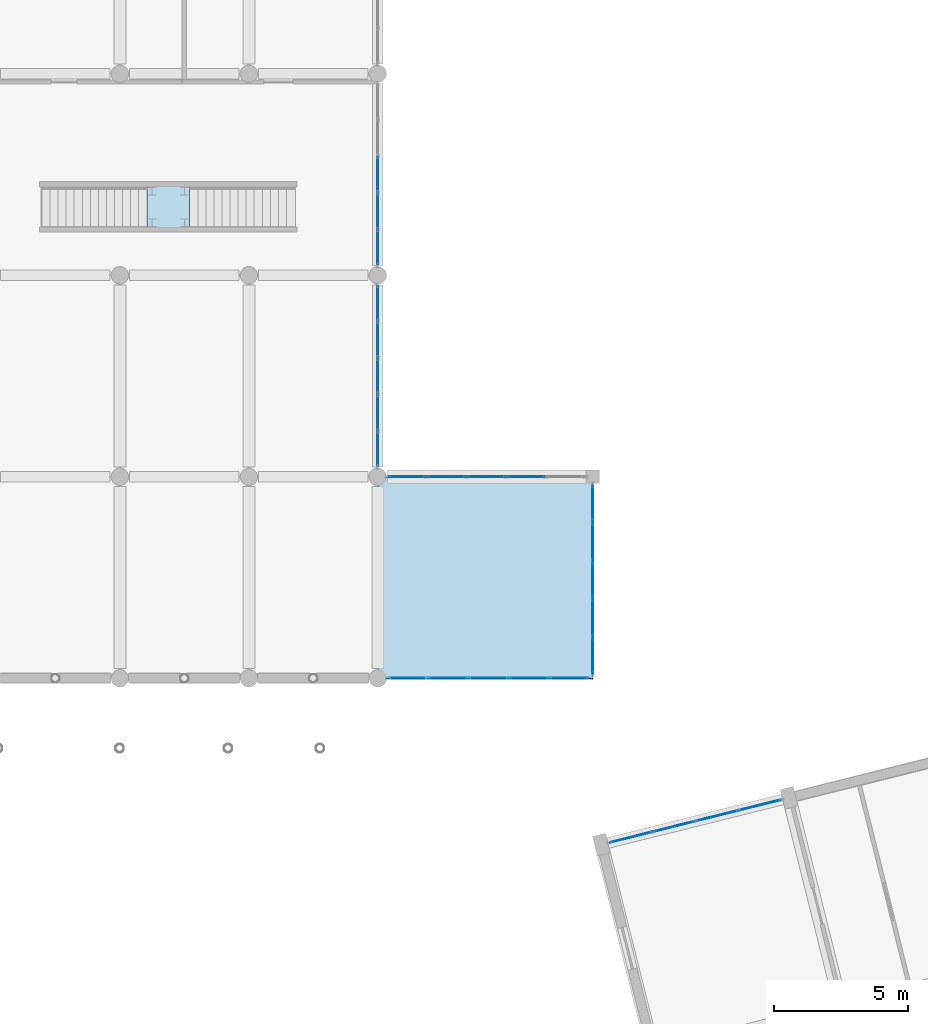
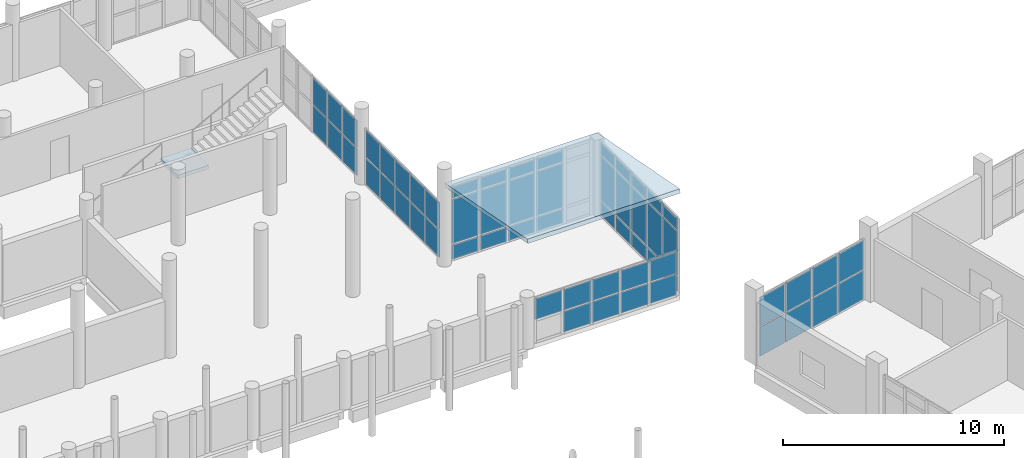
# One storey, part 127 of 164: 60 plates, 2 slabs, 7 elements without a shape of their own.
"""IFC4 building model written with IfcOpenShell, lengths in metres."""

from ifc_helpers import new_model, si_unit, direction, frame, origin, origin_2d, place, context, subcontext, project, spatial, polyline, rectangle, outline, extrude, material, layer, layer_set, type_object, element, aggregate, save


model = new_model("IFC4")

# Units and contexts
model_context = context("Model", 3, precision=1e-05, world=origin(), true_north=direction((0.0, 1.0)))
body_context = subcontext(model_context, "Body", "Model", "MODEL_VIEW")
ifc_project = project(units=[si_unit("LENGTHUNIT", "METRE"), si_unit("AREAUNIT", "SQUARE_METRE"), si_unit("VOLUMEUNIT", "CUBIC_METRE"), si_unit("PLANEANGLEUNIT", "RADIAN"), si_unit("MASSUNIT", "GRAM", prefix="KILO")], contexts=[model_context])

# Site, building, storey
site_placement = place(None, origin())
site = spatial("IfcSite", under=ifc_project, at=site_placement, CompositionType="ELEMENT")
building_placement = place(site_placement, origin())
building = spatial("IfcBuilding", under=site, at=building_placement, Name="Mawjan Specialist Oncology Clinic", CompositionType="ELEMENT")
storey_placement = place(building_placement, frame((0.0, 0.0, 5.0)))
storey = spatial("IfcBuildingStorey", under=building, at=storey_placement, Name="L01", CompositionType="ELEMENT", Elevation=5.0)

# Curtain wall, plates
ifc_material_1 = material(Name="Unitised spectrally selective aluminium curtain wall", Category="aluminium")
ifc_layer_1 = layer(ifc_material_1, 0.179931640625, Name="Unitised spectrally selective aluminium curtain wall", Category="aluminium")
ifc_layer_set_1 = layer_set([ifc_layer_1], Name="Unitised spectrally selective aluminium curtain wall")
curtain_wall_type_1 = type_object("IfcCurtainWallType", Name="CW-48", PredefinedType="NOTDEFINED", material=ifc_layer_set_1)
curtain_wall_1_placement = place(storey_placement, origin())
curtain_wall_1 = element("IfcCurtainWall", 1, at=curtain_wall_1_placement, inside=storey, type_object=curtain_wall_type_1, Name="L01 Unitised Curtain Wall CW-L01-092", PredefinedType="NOTDEFINED")
ifc_material_2 = material(Name="Spectrally selective double low-E glazing", Category="glass")
ifc_layer_2 = layer(ifc_material_2, 0.031982421875, Name="Spectrally selective double low-E glazing", Category="glass")
ifc_layer_set_2 = layer_set([ifc_layer_2], Name="Spectrally selective double low-E glazing")
plate_type = type_object("IfcPlateType", Name="CW-P32", PredefinedType="CURTAIN_PANEL", material=ifc_layer_set_2)
plate_1_placement = place(storey_placement, frame((117.40869140625, 39.882568359375, 0.06494140625), z_axis=(0.0, 0.0, 1.0), x_axis=(0.970295680134, 0.241922080664, 0.0)))
plate_1 = element("IfcPlate", 2, at=plate_1_placement, type_object=plate_type, Name="CW-48 panel 1.1", PredefinedType="CURTAIN_PANEL", context=body_context, shape_type="SweptSolid", body=[
    extrude(rectangle(XDim=1.5673828125, YDim=0.031982421875, at=origin_2d()), origin(), (0.0, 0.0, 1.0), 1.594970703125),
])
plate_2_placement = place(storey_placement, frame((117.40869140625, 39.882568359375, 1.72509765625), z_axis=(0.0, 0.0, 1.0), x_axis=(0.970295680134, 0.241922080664, 0.0)))
plate_2 = element("IfcPlate", 3, at=plate_2_placement, type_object=plate_type, Name="CW-48 panel 1.2", PredefinedType="CURTAIN_PANEL", context=body_context, shape_type="SweptSolid", body=[
    extrude(rectangle(XDim=1.5673828125, YDim=0.031982421875, at=origin_2d()), origin(), (0.0, 0.0, 1.0), 1.594970703125),
])
plate_3_placement = place(storey_placement, frame((119.00830078125, 40.28125, 0.06494140625), z_axis=(0.0, 0.0, 1.0), x_axis=(0.970295680134, 0.241922080664, 0.0)))
plate_3 = element("IfcPlate", 4, at=plate_3_placement, type_object=plate_type, Name="CW-48 panel 2.1", PredefinedType="CURTAIN_PANEL", context=body_context, shape_type="SweptSolid", body=[
    extrude(rectangle(XDim=1.60009765625, YDim=0.031982421875, at=origin_2d()), origin(), (0.0, 0.0, 1.0), 1.594970703125),
])
plate_4_placement = place(storey_placement, frame((119.00830078125, 40.28125, 1.72509765625), z_axis=(0.0, 0.0, 1.0), x_axis=(0.970295680134, 0.241922080664, 0.0)))
plate_4 = element("IfcPlate", 5, at=plate_4_placement, type_object=plate_type, Name="CW-48 panel 2.2", PredefinedType="CURTAIN_PANEL", context=body_context, shape_type="SweptSolid", body=[
    extrude(rectangle(XDim=1.60009765625, YDim=0.031982421875, at=origin_2d()), origin(), (0.0, 0.0, 1.0), 1.594970703125),
])
plate_5_placement = place(storey_placement, frame((120.6240234375, 40.68408203125, 0.06494140625), z_axis=(0.0, 0.0, 1.0), x_axis=(0.970295680134, 0.241922080664, 0.0)))
plate_5 = element("IfcPlate", 6, at=plate_5_placement, type_object=plate_type, Name="CW-48 panel 3.1", PredefinedType="CURTAIN_PANEL", context=body_context, shape_type="SweptSolid", body=[
    extrude(rectangle(XDim=1.60009765625, YDim=0.031982421875, at=origin_2d()), origin(), (0.0, 0.0, 1.0), 1.594970703125),
])
plate_6_placement = place(storey_placement, frame((120.6240234375, 40.68408203125, 1.72509765625), z_axis=(0.0, 0.0, 1.0), x_axis=(0.970295680134, 0.241922080664, 0.0)))
plate_6 = element("IfcPlate", 7, at=plate_6_placement, type_object=plate_type, Name="CW-48 panel 3.2", PredefinedType="CURTAIN_PANEL", context=body_context, shape_type="SweptSolid", body=[
    extrude(rectangle(XDim=1.60009765625, YDim=0.031982421875, at=origin_2d()), origin(), (0.0, 0.0, 1.0), 1.594970703125),
])
plate_7_placement = place(storey_placement, frame((122.2236328125, 41.0830078125, 0.06494140625), z_axis=(0.0, 0.0, 1.0), x_axis=(0.970295680134, 0.241922080664, 0.0)))
plate_7 = element("IfcPlate", 8, at=plate_7_placement, type_object=plate_type, Name="CW-48 panel 4.1", PredefinedType="CURTAIN_PANEL", context=body_context, shape_type="SweptSolid", body=[
    extrude(rectangle(XDim=1.5673828125, YDim=0.031982421875, at=origin_2d()), origin(), (0.0, 0.0, 1.0), 1.594970703125),
])
plate_8_placement = place(storey_placement, frame((122.2236328125, 41.0830078125, 1.72509765625), z_axis=(0.0, 0.0, 1.0), x_axis=(0.970295680134, 0.241922080664, 0.0)))
plate_8 = element("IfcPlate", 9, at=plate_8_placement, type_object=plate_type, Name="CW-48 panel 4.2", PredefinedType="CURTAIN_PANEL", context=body_context, shape_type="SweptSolid", body=[
    extrude(rectangle(XDim=1.5673828125, YDim=0.031982421875, at=origin_2d()), origin(), (0.0, 0.0, 1.0), 1.594970703125),
])
aggregate(curtain_wall_1, [plate_1, plate_2, plate_3, plate_4, plate_5, plate_6, plate_7, plate_8])

ifc_material_3 = material(Name="Unitised spectrally selective aluminium curtain wall", Category="aluminium")
ifc_layer_3 = layer(ifc_material_3, 0.179931640625, Name="Unitised spectrally selective aluminium curtain wall", Category="aluminium")
ifc_layer_set_3 = layer_set([ifc_layer_3], Name="Unitised spectrally selective aluminium curtain wall")
curtain_wall_type_2 = type_object("IfcCurtainWallType", Name="CW-55", PredefinedType="NOTDEFINED", material=ifc_layer_set_3)
curtain_wall_2_placement = place(storey_placement, origin())
curtain_wall_2 = element("IfcCurtainWall", 10, at=curtain_wall_2_placement, inside=storey, type_object=curtain_wall_type_2, Name="L01 Unitised Curtain Wall CW-L01-133", PredefinedType="NOTDEFINED")
plate_9_placement = place(storey_placement, frame((108.0, 64.550048828125, 0.06494140625), z_axis=(0.0, 0.0, 1.0), x_axis=(0.0, -1.0, 0.0)))
plate_9 = element("IfcPlate", 11, at=plate_9_placement, type_object=plate_type, Name="CW-55 panel 3.1", PredefinedType="CURTAIN_PANEL", context=body_context, shape_type="SweptSolid", body=[
    extrude(rectangle(XDim=1.297119140625, YDim=0.031982421875, at=origin_2d()), origin(), (0.0, 0.0, 1.0), 1.472412109375),
])
plate_10_placement = place(storey_placement, frame((108.0, 64.550048828125, 1.6025390625), z_axis=(0.0, 0.0, 1.0), x_axis=(0.0, -1.0, 0.0)))
plate_10 = element("IfcPlate", 12, at=plate_10_placement, type_object=plate_type, Name="CW-55 panel 3.2", PredefinedType="CURTAIN_PANEL", context=body_context, shape_type="SweptSolid", body=[
    extrude(rectangle(XDim=1.297119140625, YDim=0.031982421875, at=origin_2d()), origin(), (0.0, 0.0, 1.0), 1.472412109375),
])
plate_11_placement = place(storey_placement, frame((108.0, 63.18798828125, 0.06494140625), z_axis=(0.0, 0.0, 1.0), x_axis=(0.0, -1.0, 0.0)))
plate_11 = element("IfcPlate", 13, at=plate_11_placement, type_object=plate_type, Name="CW-55 panel 4.1", PredefinedType="CURTAIN_PANEL", context=body_context, shape_type="SweptSolid", body=[
    extrude(rectangle(XDim=1.297119140625, YDim=0.031982421875, at=origin_2d()), origin(), (0.0, 0.0, 1.0), 1.472412109375),
])
plate_12_placement = place(storey_placement, frame((108.0, 63.18798828125, 1.6025390625), z_axis=(0.0, 0.0, 1.0), x_axis=(0.0, -1.0, 0.0)))
plate_12 = element("IfcPlate", 14, at=plate_12_placement, type_object=plate_type, Name="CW-55 panel 4.2", PredefinedType="CURTAIN_PANEL", context=body_context, shape_type="SweptSolid", body=[
    extrude(rectangle(XDim=1.297119140625, YDim=0.031982421875, at=origin_2d()), origin(), (0.0, 0.0, 1.0), 1.472412109375),
])
plate_13_placement = place(storey_placement, frame((108.0, 61.84228515625, 0.06494140625), z_axis=(0.0, 0.0, 1.0), x_axis=(0.0, -1.0, 0.0)))
plate_13 = element("IfcPlate", 15, at=plate_13_placement, type_object=plate_type, Name="CW-55 panel 5.1", PredefinedType="CURTAIN_PANEL", context=body_context, shape_type="SweptSolid", body=[
    extrude(rectangle(XDim=1.264404296875, YDim=0.031982421875, at=origin_2d()), origin(), (0.0, 0.0, 1.0), 1.472412109375),
])
plate_14_placement = place(storey_placement, frame((108.0, 61.84228515625, 1.6025390625), z_axis=(0.0, 0.0, 1.0), x_axis=(0.0, -1.0, 0.0)))
plate_14 = element("IfcPlate", 16, at=plate_14_placement, type_object=plate_type, Name="CW-55 panel 5.2", PredefinedType="CURTAIN_PANEL", context=body_context, shape_type="SweptSolid", body=[
    extrude(rectangle(XDim=1.264404296875, YDim=0.031982421875, at=origin_2d()), origin(), (0.0, 0.0, 1.0), 1.472412109375),
])
aggregate(curtain_wall_2, [plate_9, plate_10, plate_11, plate_12, plate_13, plate_14])

curtain_wall_3_placement = place(storey_placement, origin())
curtain_wall_3 = element("IfcCurtainWall", 17, at=curtain_wall_3_placement, inside=storey, type_object=curtain_wall_type_2, Name="L01 Unitised Curtain Wall CW-L01-134", PredefinedType="NOTDEFINED")
plate_15_placement = place(storey_placement, frame((108.0, 59.7578125, 0.06494140625), z_axis=(0.0, 0.0, 1.0), x_axis=(0.0, -1.0, 0.0)))
plate_15 = element("IfcPlate", 18, at=plate_15_placement, type_object=plate_type, Name="CW-55 panel 1.1", PredefinedType="CURTAIN_PANEL", context=body_context, shape_type="SweptSolid", body=[
    extrude(rectangle(XDim=1.264404296875, YDim=0.031982421875, at=origin_2d()), origin(), (0.0, 0.0, 1.0), 1.472412109375),
])
plate_16_placement = place(storey_placement, frame((108.0, 59.7578125, 1.6025390625), z_axis=(0.0, 0.0, 1.0), x_axis=(0.0, -1.0, 0.0)))
plate_16 = element("IfcPlate", 19, at=plate_16_placement, type_object=plate_type, Name="CW-55 panel 1.2", PredefinedType="CURTAIN_PANEL", context=body_context, shape_type="SweptSolid", body=[
    extrude(rectangle(XDim=1.264404296875, YDim=0.031982421875, at=origin_2d()), origin(), (0.0, 0.0, 1.0), 1.472412109375),
])
plate_17_placement = place(storey_placement, frame((108.0, 58.412109375, 0.06494140625), z_axis=(0.0, 0.0, 1.0), x_axis=(0.0, -1.0, 0.0)))
plate_17 = element("IfcPlate", 20, at=plate_17_placement, type_object=plate_type, Name="CW-55 panel 2.1", PredefinedType="CURTAIN_PANEL", context=body_context, shape_type="SweptSolid", body=[
    extrude(rectangle(XDim=1.297119140625, YDim=0.031982421875, at=origin_2d()), origin(), (0.0, 0.0, 1.0), 1.472412109375),
])
plate_18_placement = place(storey_placement, frame((108.0, 58.412109375, 1.6025390625), z_axis=(0.0, 0.0, 1.0), x_axis=(0.0, -1.0, 0.0)))
plate_18 = element("IfcPlate", 21, at=plate_18_placement, type_object=plate_type, Name="CW-55 panel 2.2", PredefinedType="CURTAIN_PANEL", context=body_context, shape_type="SweptSolid", body=[
    extrude(rectangle(XDim=1.297119140625, YDim=0.031982421875, at=origin_2d()), origin(), (0.0, 0.0, 1.0), 1.472412109375),
])
plate_19_placement = place(storey_placement, frame((108.0, 57.050048828125, 0.06494140625), z_axis=(0.0, 0.0, 1.0), x_axis=(0.0, -1.0, 0.0)))
plate_19 = element("IfcPlate", 22, at=plate_19_placement, type_object=plate_type, Name="CW-55 panel 3.1", PredefinedType="CURTAIN_PANEL", context=body_context, shape_type="SweptSolid", body=[
    extrude(rectangle(XDim=1.297119140625, YDim=0.031982421875, at=origin_2d()), origin(), (0.0, 0.0, 1.0), 1.472412109375),
])
plate_20_placement = place(storey_placement, frame((108.0, 57.050048828125, 1.6025390625), z_axis=(0.0, 0.0, 1.0), x_axis=(0.0, -1.0, 0.0)))
plate_20 = element("IfcPlate", 23, at=plate_20_placement, type_object=plate_type, Name="CW-55 panel 3.2", PredefinedType="CURTAIN_PANEL", context=body_context, shape_type="SweptSolid", body=[
    extrude(rectangle(XDim=1.297119140625, YDim=0.031982421875, at=origin_2d()), origin(), (0.0, 0.0, 1.0), 1.472412109375),
])
plate_21_placement = place(storey_placement, frame((108.0, 55.68798828125, 0.06494140625), z_axis=(0.0, 0.0, 1.0), x_axis=(0.0, -1.0, 0.0)))
plate_21 = element("IfcPlate", 24, at=plate_21_placement, type_object=plate_type, Name="CW-55 panel 4.1", PredefinedType="CURTAIN_PANEL", context=body_context, shape_type="SweptSolid", body=[
    extrude(rectangle(XDim=1.297119140625, YDim=0.031982421875, at=origin_2d()), origin(), (0.0, 0.0, 1.0), 1.472412109375),
])
plate_22_placement = place(storey_placement, frame((108.0, 55.68798828125, 1.6025390625), z_axis=(0.0, 0.0, 1.0), x_axis=(0.0, -1.0, 0.0)))
plate_22 = element("IfcPlate", 25, at=plate_22_placement, type_object=plate_type, Name="CW-55 panel 4.2", PredefinedType="CURTAIN_PANEL", context=body_context, shape_type="SweptSolid", body=[
    extrude(rectangle(XDim=1.297119140625, YDim=0.031982421875, at=origin_2d()), origin(), (0.0, 0.0, 1.0), 1.472412109375),
])
plate_23_placement = place(storey_placement, frame((108.0, 54.34228515625, 0.06494140625), z_axis=(0.0, 0.0, 1.0), x_axis=(0.0, -1.0, 0.0)))
plate_23 = element("IfcPlate", 26, at=plate_23_placement, type_object=plate_type, Name="CW-55 panel 5.1", PredefinedType="CURTAIN_PANEL", context=body_context, shape_type="SweptSolid", body=[
    extrude(rectangle(XDim=1.264404296875, YDim=0.031982421875, at=origin_2d()), origin(), (0.0, 0.0, 1.0), 1.472412109375),
])
plate_24_placement = place(storey_placement, frame((108.0, 54.34228515625, 1.6025390625), z_axis=(0.0, 0.0, 1.0), x_axis=(0.0, -1.0, 0.0)))
plate_24 = element("IfcPlate", 27, at=plate_24_placement, type_object=plate_type, Name="CW-55 panel 5.2", PredefinedType="CURTAIN_PANEL", context=body_context, shape_type="SweptSolid", body=[
    extrude(rectangle(XDim=1.264404296875, YDim=0.031982421875, at=origin_2d()), origin(), (0.0, 0.0, 1.0), 1.472412109375),
])
aggregate(curtain_wall_3, [plate_15, plate_16, plate_17, plate_18, plate_19, plate_20, plate_21, plate_22, plate_23, plate_24])

ifc_material_4 = material(Name="Unitised spectrally selective aluminium curtain wall", Category="aluminium")
ifc_layer_4 = layer(ifc_material_4, 0.179931640625, Name="Unitised spectrally selective aluminium curtain wall", Category="aluminium")
ifc_layer_set_4 = layer_set([ifc_layer_4], Name="Unitised spectrally selective aluminium curtain wall")
curtain_wall_type_3 = type_object("IfcCurtainWallType", Name="CW-67", PredefinedType="NOTDEFINED", material=ifc_layer_set_4)
curtain_wall_4_placement = place(storey_placement, origin())
curtain_wall_4 = element("IfcCurtainWall", 28, at=curtain_wall_4_placement, inside=storey, type_object=curtain_wall_type_3, Name="L01 Unitised Curtain Wall CW-L01-135", PredefinedType="NOTDEFINED")
plate_25_placement = place(storey_placement, frame((109.10107421875, 53.300048828125, 0.070068359375), z_axis=(0.0, 0.0, 1.0), x_axis=(1.0, 0.0, 0.0)))
plate_25 = element("IfcPlate", 29, at=plate_25_placement, type_object=plate_type, Name="CW-67 panel 1.1", PredefinedType="CURTAIN_PANEL", context=body_context, shape_type="SweptSolid", body=[
    extrude(rectangle(XDim=1.3720703125, YDim=0.031982421875, at=origin_2d()), origin(), (0.0, 0.0, 1.0), 0.794921875),
])
plate_26_placement = place(storey_placement, frame((109.10107421875, 53.300048828125, 0.93505859375), z_axis=(0.0, 0.0, 1.0), x_axis=(1.0, 0.0, 0.0)))
plate_26 = element("IfcPlate", 30, at=plate_26_placement, type_object=plate_type, Name="CW-67 panel 1.2", PredefinedType="CURTAIN_PANEL", context=body_context, shape_type="SweptSolid", body=[
    extrude(rectangle(XDim=1.3720703125, YDim=0.031982421875, at=origin_2d()), origin(), (0.0, 0.0, 1.0), 2.449951171875),
])
plate_27_placement = place(storey_placement, frame((109.10107421875, 53.300048828125, 3.455078125), z_axis=(0.0, 0.0, 1.0), x_axis=(1.0, 0.0, 0.0)))
plate_27 = element("IfcPlate", 31, at=plate_27_placement, type_object=plate_type, Name="CW-67 panel 1.3", PredefinedType="CURTAIN_PANEL", context=body_context, shape_type="SweptSolid", body=[
    extrude(rectangle(XDim=1.3720703125, YDim=0.031982421875, at=origin_2d()), origin(), (0.0, 0.0, 1.0), 0.64501953125),
])
plate_28_placement = place(storey_placement, frame((110.560546875, 53.300048828125, 0.070068359375), z_axis=(0.0, 0.0, 1.0), x_axis=(1.0, 0.0, 0.0)))
plate_28 = element("IfcPlate", 32, at=plate_28_placement, type_object=plate_type, Name="CW-67 panel 2.1", PredefinedType="CURTAIN_PANEL", context=body_context, shape_type="SweptSolid", body=[
    extrude(rectangle(XDim=1.406982421875, YDim=0.031982421875, at=origin_2d()), origin(), (0.0, 0.0, 1.0), 0.794921875),
])
plate_29_placement = place(storey_placement, frame((110.560546875, 53.300048828125, 0.93505859375), z_axis=(0.0, 0.0, 1.0), x_axis=(1.0, 0.0, 0.0)))
plate_29 = element("IfcPlate", 33, at=plate_29_placement, type_object=plate_type, Name="CW-67 panel 2.2", PredefinedType="CURTAIN_PANEL", context=body_context, shape_type="SweptSolid", body=[
    extrude(rectangle(XDim=1.406982421875, YDim=0.031982421875, at=origin_2d()), origin(), (0.0, 0.0, 1.0), 2.449951171875),
])
plate_30_placement = place(storey_placement, frame((110.560546875, 53.300048828125, 3.455078125), z_axis=(0.0, 0.0, 1.0), x_axis=(1.0, 0.0, 0.0)))
plate_30 = element("IfcPlate", 34, at=plate_30_placement, type_object=plate_type, Name="CW-67 panel 2.3", PredefinedType="CURTAIN_PANEL", context=body_context, shape_type="SweptSolid", body=[
    extrude(rectangle(XDim=1.406982421875, YDim=0.031982421875, at=origin_2d()), origin(), (0.0, 0.0, 1.0), 0.64501953125),
])
plate_31_placement = place(storey_placement, frame((112.03759765625, 53.300048828125, 0.070068359375), z_axis=(0.0, 0.0, 1.0), x_axis=(1.0, 0.0, 0.0)))
plate_31 = element("IfcPlate", 35, at=plate_31_placement, type_object=plate_type, Name="CW-67 panel 3.1", PredefinedType="CURTAIN_PANEL", context=body_context, shape_type="SweptSolid", body=[
    extrude(rectangle(XDim=1.406982421875, YDim=0.031982421875, at=origin_2d()), origin(), (0.0, 0.0, 1.0), 0.794921875),
])
plate_32_placement = place(storey_placement, frame((112.03759765625, 53.300048828125, 0.93505859375), z_axis=(0.0, 0.0, 1.0), x_axis=(1.0, 0.0, 0.0)))
plate_32 = element("IfcPlate", 36, at=plate_32_placement, type_object=plate_type, Name="CW-67 panel 3.2", PredefinedType="CURTAIN_PANEL", context=body_context, shape_type="SweptSolid", body=[
    extrude(rectangle(XDim=1.406982421875, YDim=0.031982421875, at=origin_2d()), origin(), (0.0, 0.0, 1.0), 2.449951171875),
])
plate_33_placement = place(storey_placement, frame((112.03759765625, 53.300048828125, 3.455078125), z_axis=(0.0, 0.0, 1.0), x_axis=(1.0, 0.0, 0.0)))
plate_33 = element("IfcPlate", 37, at=plate_33_placement, type_object=plate_type, Name="CW-67 panel 3.3", PredefinedType="CURTAIN_PANEL", context=body_context, shape_type="SweptSolid", body=[
    extrude(rectangle(XDim=1.406982421875, YDim=0.031982421875, at=origin_2d()), origin(), (0.0, 0.0, 1.0), 0.64501953125),
])
plate_34_placement = place(storey_placement, frame((113.514404296875, 53.300048828125, 0.070068359375), z_axis=(0.0, 0.0, 1.0), x_axis=(1.0, 0.0, 0.0)))
plate_34 = element("IfcPlate", 38, at=plate_34_placement, type_object=plate_type, Name="CW-67 panel 4.1", PredefinedType="CURTAIN_PANEL", context=body_context, shape_type="SweptSolid", body=[
    extrude(rectangle(XDim=1.406982421875, YDim=0.031982421875, at=origin_2d()), origin(), (0.0, 0.0, 1.0), 0.794921875),
])
plate_35_placement = place(storey_placement, frame((113.514404296875, 53.300048828125, 0.93505859375), z_axis=(0.0, 0.0, 1.0), x_axis=(1.0, 0.0, 0.0)))
plate_35 = element("IfcPlate", 39, at=plate_35_placement, type_object=plate_type, Name="CW-67 panel 4.2", PredefinedType="CURTAIN_PANEL", context=body_context, shape_type="SweptSolid", body=[
    extrude(rectangle(XDim=1.406982421875, YDim=0.031982421875, at=origin_2d()), origin(), (0.0, 0.0, 1.0), 2.449951171875),
])
plate_36_placement = place(storey_placement, frame((113.514404296875, 53.300048828125, 3.455078125), z_axis=(0.0, 0.0, 1.0), x_axis=(1.0, 0.0, 0.0)))
plate_36 = element("IfcPlate", 40, at=plate_36_placement, type_object=plate_type, Name="CW-67 panel 4.3", PredefinedType="CURTAIN_PANEL", context=body_context, shape_type="SweptSolid", body=[
    extrude(rectangle(XDim=1.406982421875, YDim=0.031982421875, at=origin_2d()), origin(), (0.0, 0.0, 1.0), 0.64501953125),
])
aggregate(curtain_wall_4, [plate_25, plate_26, plate_27, plate_28, plate_29, plate_30, plate_31, plate_32, plate_33, plate_34, plate_35, plate_36])

ifc_material_5 = material(Name="Unitised spectrally selective aluminium curtain wall", Category="aluminium")
ifc_layer_5 = layer(ifc_material_5, 0.179931640625, Name="Unitised spectrally selective aluminium curtain wall", Category="aluminium")
ifc_layer_set_5 = layer_set([ifc_layer_5], Name="Unitised spectrally selective aluminium curtain wall")
curtain_wall_type_4 = type_object("IfcCurtainWallType", Name="CW-68", PredefinedType="NOTDEFINED", material=ifc_layer_set_5)
curtain_wall_5_placement = place(storey_placement, origin())
curtain_wall_5 = element("IfcCurtainWall", 41, at=curtain_wall_5_placement, inside=storey, type_object=curtain_wall_type_4, Name="L01 Unitised Curtain Wall CW-L01-136", PredefinedType="NOTDEFINED")
plate_37_placement = place(storey_placement, frame((116.0, 52.300537109375, 0.070068359375), z_axis=(0.0, 0.0, 1.0), x_axis=(0.0, -1.0, 0.0)))
plate_37 = element("IfcPlate", 42, at=plate_37_placement, type_object=plate_type, Name="CW-68 panel 1.1", PredefinedType="CURTAIN_PANEL", context=body_context, shape_type="SweptSolid", body=[
    extrude(rectangle(XDim=1.319091796875, YDim=0.031982421875, at=origin_2d()), origin(), (0.0, 0.0, 1.0), 0.794921875),
])
plate_38_placement = place(storey_placement, frame((116.0, 52.300537109375, 0.93505859375), z_axis=(0.0, 0.0, 1.0), x_axis=(0.0, -1.0, 0.0)))
plate_38 = element("IfcPlate", 43, at=plate_38_placement, type_object=plate_type, Name="CW-68 panel 1.2", PredefinedType="CURTAIN_PANEL", context=body_context, shape_type="SweptSolid", body=[
    extrude(rectangle(XDim=1.319091796875, YDim=0.031982421875, at=origin_2d()), origin(), (0.0, 0.0, 1.0), 2.449951171875),
])
plate_39_placement = place(storey_placement, frame((116.0, 52.300537109375, 3.455078125), z_axis=(0.0, 0.0, 1.0), x_axis=(0.0, -1.0, 0.0)))
plate_39 = element("IfcPlate", 44, at=plate_39_placement, type_object=plate_type, Name="CW-68 panel 1.3", PredefinedType="CURTAIN_PANEL", context=body_context, shape_type="SweptSolid", body=[
    extrude(rectangle(XDim=1.319091796875, YDim=0.031982421875, at=origin_2d()), origin(), (0.0, 0.0, 1.0), 0.64501953125),
])
plate_40_placement = place(storey_placement, frame((116.0, 50.89404296875, 0.070068359375), z_axis=(0.0, 0.0, 1.0), x_axis=(0.0, -1.0, 0.0)))
plate_40 = element("IfcPlate", 45, at=plate_40_placement, type_object=plate_type, Name="CW-68 panel 2.1", PredefinedType="CURTAIN_PANEL", context=body_context, shape_type="SweptSolid", body=[
    extrude(rectangle(XDim=1.35400390625, YDim=0.031982421875, at=origin_2d()), origin(), (0.0, 0.0, 1.0), 0.794921875),
])
plate_41_placement = place(storey_placement, frame((116.0, 50.89404296875, 0.93505859375), z_axis=(0.0, 0.0, 1.0), x_axis=(0.0, -1.0, 0.0)))
plate_41 = element("IfcPlate", 46, at=plate_41_placement, type_object=plate_type, Name="CW-68 panel 2.2", PredefinedType="CURTAIN_PANEL", context=body_context, shape_type="SweptSolid", body=[
    extrude(rectangle(XDim=1.35400390625, YDim=0.031982421875, at=origin_2d()), origin(), (0.0, 0.0, 1.0), 2.449951171875),
])
plate_42_placement = place(storey_placement, frame((116.0, 50.89404296875, 3.455078125), z_axis=(0.0, 0.0, 1.0), x_axis=(0.0, -1.0, 0.0)))
plate_42 = element("IfcPlate", 47, at=plate_42_placement, type_object=plate_type, Name="CW-68 panel 2.3", PredefinedType="CURTAIN_PANEL", context=body_context, shape_type="SweptSolid", body=[
    extrude(rectangle(XDim=1.35400390625, YDim=0.031982421875, at=origin_2d()), origin(), (0.0, 0.0, 1.0), 0.64501953125),
])
plate_43_placement = place(storey_placement, frame((116.0, 49.469970703125, 0.070068359375), z_axis=(0.0, 0.0, 1.0), x_axis=(0.0, -1.0, 0.0)))
plate_43 = element("IfcPlate", 48, at=plate_43_placement, type_object=plate_type, Name="CW-68 panel 3.1", PredefinedType="CURTAIN_PANEL", context=body_context, shape_type="SweptSolid", body=[
    extrude(rectangle(XDim=1.35400390625, YDim=0.031982421875, at=origin_2d()), origin(), (0.0, 0.0, 1.0), 0.794921875),
])
plate_44_placement = place(storey_placement, frame((116.0, 49.469970703125, 0.93505859375), z_axis=(0.0, 0.0, 1.0), x_axis=(0.0, -1.0, 0.0)))
plate_44 = element("IfcPlate", 49, at=plate_44_placement, type_object=plate_type, Name="CW-68 panel 3.2", PredefinedType="CURTAIN_PANEL", context=body_context, shape_type="SweptSolid", body=[
    extrude(rectangle(XDim=1.35400390625, YDim=0.031982421875, at=origin_2d()), origin(), (0.0, 0.0, 1.0), 2.449951171875),
])
plate_45_placement = place(storey_placement, frame((116.0, 49.469970703125, 3.455078125), z_axis=(0.0, 0.0, 1.0), x_axis=(0.0, -1.0, 0.0)))
plate_45 = element("IfcPlate", 50, at=plate_45_placement, type_object=plate_type, Name="CW-68 panel 3.3", PredefinedType="CURTAIN_PANEL", context=body_context, shape_type="SweptSolid", body=[
    extrude(rectangle(XDim=1.35400390625, YDim=0.031982421875, at=origin_2d()), origin(), (0.0, 0.0, 1.0), 0.64501953125),
])
plate_46_placement = place(storey_placement, frame((116.0, 48.0458984375, 0.070068359375), z_axis=(0.0, 0.0, 1.0), x_axis=(0.0, -1.0, 0.0)))
plate_46 = element("IfcPlate", 51, at=plate_46_placement, type_object=plate_type, Name="CW-68 panel 4.1", PredefinedType="CURTAIN_PANEL", context=body_context, shape_type="SweptSolid", body=[
    extrude(rectangle(XDim=1.35400390625, YDim=0.031982421875, at=origin_2d()), origin(), (0.0, 0.0, 1.0), 0.794921875),
])
plate_47_placement = place(storey_placement, frame((116.0, 48.0458984375, 0.93505859375), z_axis=(0.0, 0.0, 1.0), x_axis=(0.0, -1.0, 0.0)))
plate_47 = element("IfcPlate", 52, at=plate_47_placement, type_object=plate_type, Name="CW-68 panel 4.2", PredefinedType="CURTAIN_PANEL", context=body_context, shape_type="SweptSolid", body=[
    extrude(rectangle(XDim=1.35400390625, YDim=0.031982421875, at=origin_2d()), origin(), (0.0, 0.0, 1.0), 2.449951171875),
])
plate_48_placement = place(storey_placement, frame((116.0, 48.0458984375, 3.455078125), z_axis=(0.0, 0.0, 1.0), x_axis=(0.0, -1.0, 0.0)))
plate_48 = element("IfcPlate", 53, at=plate_48_placement, type_object=plate_type, Name="CW-68 panel 4.3", PredefinedType="CURTAIN_PANEL", context=body_context, shape_type="SweptSolid", body=[
    extrude(rectangle(XDim=1.35400390625, YDim=0.031982421875, at=origin_2d()), origin(), (0.0, 0.0, 1.0), 0.64501953125),
])
plate_49_placement = place(storey_placement, frame((116.0, 46.639404296875, 0.070068359375), z_axis=(0.0, 0.0, 1.0), x_axis=(0.0, -1.0, 0.0)))
plate_49 = element("IfcPlate", 54, at=plate_49_placement, type_object=plate_type, Name="CW-68 panel 5.1", PredefinedType="CURTAIN_PANEL", context=body_context, shape_type="SweptSolid", body=[
    extrude(rectangle(XDim=1.319091796875, YDim=0.031982421875, at=origin_2d()), origin(), (0.0, 0.0, 1.0), 0.794921875),
])
plate_50_placement = place(storey_placement, frame((116.0, 46.639404296875, 0.93505859375), z_axis=(0.0, 0.0, 1.0), x_axis=(0.0, -1.0, 0.0)))
plate_50 = element("IfcPlate", 55, at=plate_50_placement, type_object=plate_type, Name="CW-68 panel 5.2", PredefinedType="CURTAIN_PANEL", context=body_context, shape_type="SweptSolid", body=[
    extrude(rectangle(XDim=1.319091796875, YDim=0.031982421875, at=origin_2d()), origin(), (0.0, 0.0, 1.0), 2.449951171875),
])
plate_51_placement = place(storey_placement, frame((116.0, 46.639404296875, 3.455078125), z_axis=(0.0, 0.0, 1.0), x_axis=(0.0, -1.0, 0.0)))
plate_51 = element("IfcPlate", 56, at=plate_51_placement, type_object=plate_type, Name="CW-68 panel 5.3", PredefinedType="CURTAIN_PANEL", context=body_context, shape_type="SweptSolid", body=[
    extrude(rectangle(XDim=1.319091796875, YDim=0.031982421875, at=origin_2d()), origin(), (0.0, 0.0, 1.0), 0.64501953125),
])
aggregate(curtain_wall_5, [plate_37, plate_38, plate_39, plate_40, plate_41, plate_42, plate_43, plate_44, plate_45, plate_46, plate_47, plate_48, plate_49, plate_50, plate_51])

ifc_material_6 = material(Name="Unitised spectrally selective aluminium curtain wall", Category="aluminium")
ifc_layer_6 = layer(ifc_material_6, 0.179931640625, Name="Unitised spectrally selective aluminium curtain wall", Category="aluminium")
ifc_layer_set_6 = layer_set([ifc_layer_6], Name="Unitised spectrally selective aluminium curtain wall")
curtain_wall_type_5 = type_object("IfcCurtainWallType", Name="CW-69", PredefinedType="NOTDEFINED", material=ifc_layer_set_6)
curtain_wall_6_placement = place(storey_placement, origin())
curtain_wall_6 = element("IfcCurtainWall", 57, at=curtain_wall_6_placement, inside=storey, type_object=curtain_wall_type_5, Name="L01 Unitised Curtain Wall CW-L01-137", PredefinedType="NOTDEFINED")
plate_52_placement = place(storey_placement, frame((115.119140625, 45.800048828125, 0.06494140625), z_axis=(0.0, 0.0, 1.0), x_axis=(-1.0, 0.0, 0.0)))
plate_52 = element("IfcPlate", 58, at=plate_52_placement, type_object=plate_type, Name="CW-69 panel 1.1", PredefinedType="CURTAIN_PANEL", context=body_context, shape_type="SweptSolid", body=[
    extrude(rectangle(XDim=1.41162109375, YDim=0.031982421875, at=origin_2d()), origin(), (0.0, 0.0, 1.0), 1.152587890625),
])
plate_53_placement = place(storey_placement, frame((115.119140625, 45.800048828125, 1.2822265625), z_axis=(0.0, 0.0, 1.0), x_axis=(-1.0, 0.0, 0.0)))
plate_53 = element("IfcPlate", 59, at=plate_53_placement, type_object=plate_type, Name="CW-69 panel 1.2", PredefinedType="CURTAIN_PANEL", context=body_context, shape_type="SweptSolid", body=[
    extrude(rectangle(XDim=1.41162109375, YDim=0.031982421875, at=origin_2d()), origin(), (0.0, 0.0, 1.0), 1.152587890625),
])
plate_54_placement = place(storey_placement, frame((113.62646484375, 45.800048828125, 0.06494140625), z_axis=(0.0, 0.0, 1.0), x_axis=(-1.0, 0.0, 0.0)))
plate_54 = element("IfcPlate", 60, at=plate_54_placement, type_object=plate_type, Name="CW-69 panel 2.1", PredefinedType="CURTAIN_PANEL", context=body_context, shape_type="SweptSolid", body=[
    extrude(rectangle(XDim=1.444091796875, YDim=0.031982421875, at=origin_2d()), origin(), (0.0, 0.0, 1.0), 1.152587890625),
])
plate_55_placement = place(storey_placement, frame((113.62646484375, 45.800048828125, 1.2822265625), z_axis=(0.0, 0.0, 1.0), x_axis=(-1.0, 0.0, 0.0)))
plate_55 = element("IfcPlate", 61, at=plate_55_placement, type_object=plate_type, Name="CW-69 panel 2.2", PredefinedType="CURTAIN_PANEL", context=body_context, shape_type="SweptSolid", body=[
    extrude(rectangle(XDim=1.444091796875, YDim=0.031982421875, at=origin_2d()), origin(), (0.0, 0.0, 1.0), 1.152587890625),
])
plate_56_placement = place(storey_placement, frame((112.117431640625, 45.800048828125, 0.06494140625), z_axis=(0.0, 0.0, 1.0), x_axis=(-1.0, 0.0, 0.0)))
plate_56 = element("IfcPlate", 62, at=plate_56_placement, type_object=plate_type, Name="CW-69 panel 3.1", PredefinedType="CURTAIN_PANEL", context=body_context, shape_type="SweptSolid", body=[
    extrude(rectangle(XDim=1.444091796875, YDim=0.031982421875, at=origin_2d()), origin(), (0.0, 0.0, 1.0), 1.152587890625),
])
plate_57_placement = place(storey_placement, frame((112.117431640625, 45.800048828125, 1.2822265625), z_axis=(0.0, 0.0, 1.0), x_axis=(-1.0, 0.0, 0.0)))
plate_57 = element("IfcPlate", 63, at=plate_57_placement, type_object=plate_type, Name="CW-69 panel 3.2", PredefinedType="CURTAIN_PANEL", context=body_context, shape_type="SweptSolid", body=[
    extrude(rectangle(XDim=1.444091796875, YDim=0.031982421875, at=origin_2d()), origin(), (0.0, 0.0, 1.0), 1.152587890625),
])
plate_58_placement = place(storey_placement, frame((110.6083984375, 45.800048828125, 0.06494140625), z_axis=(0.0, 0.0, 1.0), x_axis=(-1.0, 0.0, 0.0)))
plate_58 = element("IfcPlate", 64, at=plate_58_placement, type_object=plate_type, Name="CW-69 panel 4.1", PredefinedType="CURTAIN_PANEL", context=body_context, shape_type="SweptSolid", body=[
    extrude(rectangle(XDim=1.444091796875, YDim=0.031982421875, at=origin_2d()), origin(), (0.0, 0.0, 1.0), 1.152587890625),
])
plate_59_placement = place(storey_placement, frame((110.6083984375, 45.800048828125, 1.2822265625), z_axis=(0.0, 0.0, 1.0), x_axis=(-1.0, 0.0, 0.0)))
plate_59 = element("IfcPlate", 65, at=plate_59_placement, type_object=plate_type, Name="CW-69 panel 4.2", PredefinedType="CURTAIN_PANEL", context=body_context, shape_type="SweptSolid", body=[
    extrude(rectangle(XDim=1.444091796875, YDim=0.031982421875, at=origin_2d()), origin(), (0.0, 0.0, 1.0), 1.152587890625),
])
plate_60_placement = place(storey_placement, frame((109.11572265625, 45.800048828125, 1.2822265625), z_axis=(0.0, 0.0, 1.0), x_axis=(-1.0, 0.0, 0.0)))
plate_60 = element("IfcPlate", 66, at=plate_60_placement, type_object=plate_type, Name="CW-69 panel 5.2", PredefinedType="CURTAIN_PANEL", context=body_context, shape_type="SweptSolid", body=[
    extrude(rectangle(XDim=1.41162109375, YDim=0.031982421875, at=origin_2d()), origin(), (0.0, 0.0, 1.0), 1.152587890625),
])
aggregate(curtain_wall_6, [plate_52, plate_53, plate_54, plate_55, plate_56, plate_57, plate_58, plate_59, plate_60])

# Stair, slab
ifc_material_7 = material(Name="Concrete C35/45", Category="concrete")
stair_type = type_object("IfcStairType", Name="STR-COMM", PredefinedType="STRAIGHT_RUN_STAIR", material=ifc_material_7)
stair_placement = place(storey_placement, origin())
stair = element("IfcStair", 67, at=stair_placement, inside=storey, type_object=stair_type, Name="Treatment Gallery Communicating Stair ST-13", PredefinedType="STRAIGHT_RUN_STAIR")
ifc_material_8 = material(Name="Concrete C35/45", Category="concrete")
ifc_layer_7 = layer(ifc_material_8, 0.199951171875, Name="Concrete C35/45", Category="concrete")
ifc_layer_set_7 = layer_set([ifc_layer_7], Name="Concrete C35/45")
slab_type_1 = type_object("IfcSlabType", Name="LND-200", PredefinedType="LANDING", material=ifc_layer_set_7)
slab_1_placement = place(storey_placement, frame((0.0, 0.0, 2.050048828125)))
slab_1 = element("IfcSlab", 68, at=slab_1_placement, type_object=slab_type_1, Name="ST-13 landing 1", PredefinedType="LANDING", context=body_context, shape_type="SweptSolid", body=[
    extrude(outline(polyline([(99.39990234375, 62.56494140625), (101.0, 62.56494140625), (101.0, 64.135009765625), (99.39990234375, 64.135009765625), (99.39990234375, 62.56494140625)])), origin(), (0.0, 0.0, 1.0), 0.199951171875),
])
aggregate(stair, [slab_1])

# Slab
ifc_material_9 = material(Name="Concrete C35/45", Category="concrete")
ifc_layer_8 = layer(ifc_material_9, 0.219970703125, Name="Concrete C35/45", Category="concrete")
ifc_layer_set_8 = layer_set([ifc_layer_8], Name="Concrete C35/45")
slab_type_2 = type_object("IfcSlabType", Name="RF-SLP220", PredefinedType="ROOF", material=ifc_layer_set_8)
slab_2_placement = place(storey_placement, frame((108.02001953125, 53.300048828125, 4.429931640625), z_axis=(0.0, 0.187314874547, 0.982299922515), x_axis=(1.0, 0.0, 0.0)))
element("IfcSlab", 69, at=slab_2_placement, inside=storey, type_object=slab_type_2, Name="Treatment Hall L01 East Promenade Sloped Roof", PredefinedType="ROOF", context=body_context, shape_type="SweptSolid", body=[
    extrude(outline(polyline([(0.0, 0.0), (7.97998046875, 0.0), (7.97998046875, -7.635142615909284), (0.0, -7.635142615909284), (0.0, 0.0)])), origin(), (0.0, 0.0, -1.0), 0.219970703125),
])

save(model, "model.ifc")
